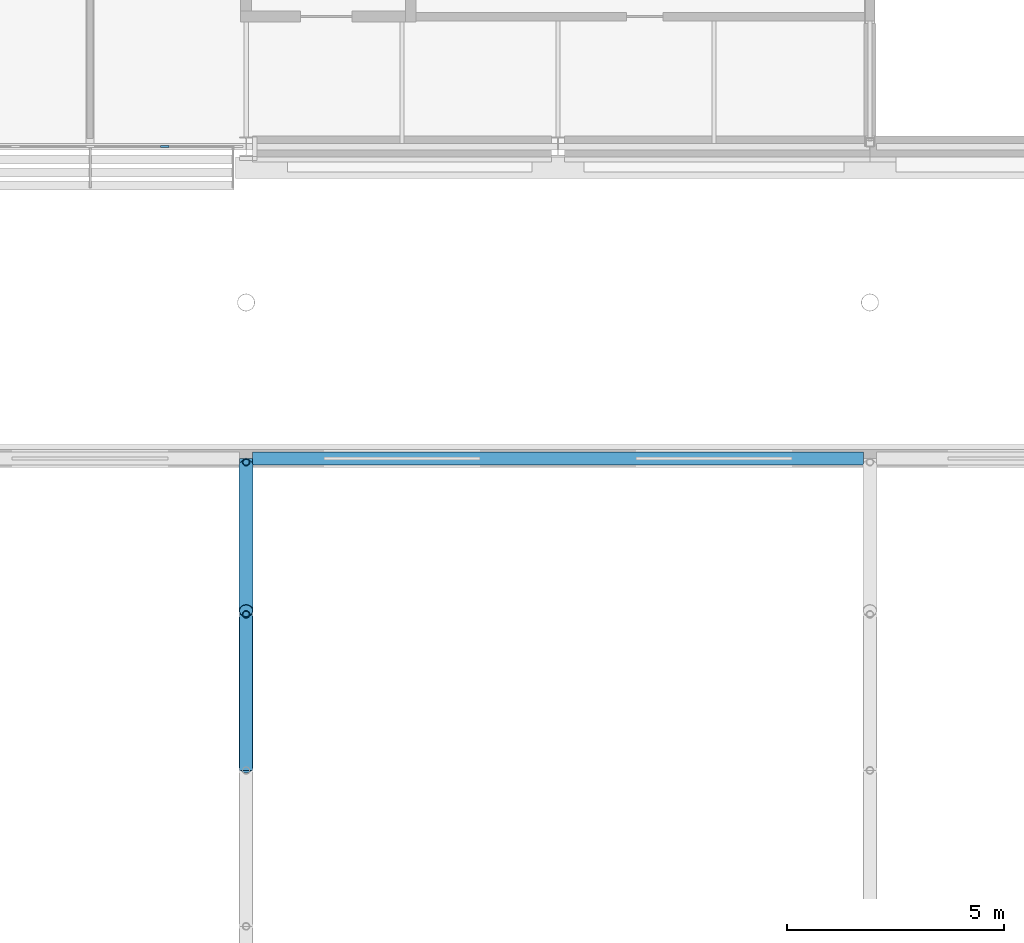
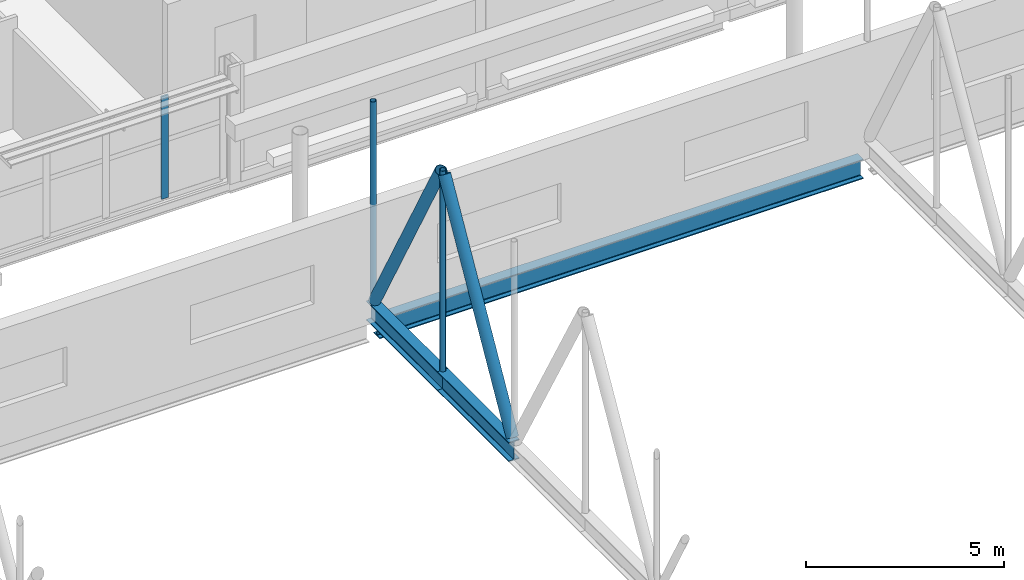
# One storey, part 67 of 142: 7 members, 1 beam, 1 element without a shape of its own.
"""IFC4 building model written with IfcOpenShell, lengths in metres."""

import ifcopenshell
import ifcopenshell.guid

model = None  # the IFC model being written
_history = None  # IfcOwnerHistory: only IFC2X3 demands one
_inside = {}  # id of a spatial element -> (the spatial element, [elements in it])
_under = {}  # id of a project, library or spatial element -> (it, [spatial elements below it])
_declared = {}  # id of a project -> (the project, [libraries it declares])
_typed = {}  # id of a type object -> (the type object, [elements of that type])
_made_of = {}  # id of a material, layer set ... -> (it, [elements and type objects made of it])


def new_model(schema):
    """Start an empty IFC model of exactly this schema.

    Asked for "IFC4X3", IfcOpenShell would pick the latest addendum, in which some entities
    have other attributes; the version numbers below select the first issue.
    IFC2X3 requires an IfcOwnerHistory on every rooted entity: one is made here for all.
    """
    global model, _history
    if schema == "IFC4X3":
        model = ifcopenshell.file(schema_version=(4, 3, 0, 0))
    else:
        model = ifcopenshell.file(schema=schema)
    _inside.clear()
    _under.clear()
    _declared.clear()
    _typed.clear()
    _made_of.clear()
    _history = None
    if model.schema == "IFC2X3":
        org = make("IfcOrganization", Name="unknown")
        user = make(
            "IfcPersonAndOrganization",
            ThePerson=make("IfcPerson", FamilyName="unknown"),
            TheOrganization=org,
        )
        app = make(
            "IfcApplication",
            ApplicationDeveloper=org,
            Version="unknown",
            ApplicationFullName="unknown",
            ApplicationIdentifier="unknown",
        )
        _history = make(
            "IfcOwnerHistory",
            OwningUser=user,
            OwningApplication=app,
            ChangeAction="ADDED",
            CreationDate=0,
        )
    return model


def make(cls, **values):
    """One entity of the class cls with the attributes given. An attribute that is None is left unset."""
    return model.create_entity(
        cls, **{name: value for name, value in values.items() if value is not None}
    )


def rooted(cls, **values):
    """An entity with a GlobalId (a new one), such as an element, a storey or a relation."""
    return make(cls, GlobalId=ifcopenshell.guid.new(), OwnerHistory=_history, **values)


def si_unit(unit_type, name, prefix=None):
    """IfcSIUnit, for example si_unit("LENGTHUNIT", "METRE", prefix="MILLI")."""
    return make("IfcSIUnit", UnitType=unit_type, Prefix=prefix, Name=name)


def assignment(units):
    """IfcUnitAssignment: the units of a project."""
    return None if units is None else make("IfcUnitAssignment", Units=units)


def point(xyz):
    """IfcCartesianPoint."""
    return None if xyz is None else make("IfcCartesianPoint", Coordinates=xyz)


def direction(xyz):
    """IfcDirection."""
    return None if xyz is None else make("IfcDirection", DirectionRatios=xyz)


def frame(location, z_axis=None, x_axis=None):
    """IfcAxis2Placement3D, a coordinate frame: its origin and axes. An axis left out is left unset."""
    return make(
        "IfcAxis2Placement3D",
        Location=point(location),
        Axis=direction(z_axis),
        RefDirection=direction(x_axis),
    )


def frame_2d(location, x_axis=None):
    """IfcAxis2Placement2D, a coordinate frame in the plane: its origin and x axis."""
    return make(
        "IfcAxis2Placement2D", Location=point(location), RefDirection=direction(x_axis)
    )


def origin():
    """The frame at (0, 0, 0) with its axes left unset."""
    return frame((0.0, 0.0, 0.0))


def origin_2d():
    """The frame at (0, 0) in the plane with its x axis left unset."""
    return frame_2d((0.0, 0.0))


def place(relative_to, where):
    """IfcLocalPlacement: puts the frame where relative to a parent placement (None: the world)."""
    return make(
        "IfcLocalPlacement", PlacementRelTo=relative_to, RelativePlacement=where
    )


def context(
    kind, dimensions, precision=None, world=None, true_north=None, identifier=None
):
    """IfcGeometricRepresentationContext, for example the 3D "Model" context."""
    return make(
        "IfcGeometricRepresentationContext",
        ContextIdentifier=identifier,
        ContextType=kind,
        CoordinateSpaceDimension=dimensions,
        Precision=precision,
        WorldCoordinateSystem=world,
        TrueNorth=true_north,
    )


def subcontext(parent, identifier, kind, view, scale=None):
    """IfcGeometricRepresentationSubContext, for example "Body" below "Model"."""
    return make(
        "IfcGeometricRepresentationSubContext",
        ContextIdentifier=identifier,
        ContextType=kind,
        ParentContext=parent,
        TargetScale=scale,
        TargetView=view,
    )


def project(units=None, contexts=None):
    """IfcProject with its units and contexts."""
    return rooted(
        "IfcProject",
        Name="project",
        RepresentationContexts=contexts,
        UnitsInContext=assignment(units),
    )


def spatial(cls, under=None, at=None, **own):
    """A site, building, storey or space (cls), placed at a placement, below another one or the project."""
    s = rooted(cls, ObjectPlacement=at, **own)
    if under is not None:
        _under.setdefault(under.id(), (under, []))[1].append(s)
    return s


def profile(cls, at=None, kind="AREA", **sizes):
    """A parametric profile (cls). Its sizes go by their IFC names, for example OverallWidth=200.0."""
    return make(cls, ProfileType=kind, Position=at, **sizes)


def rectangle(**sizes):
    """IfcRectangleProfileDef."""
    return profile("IfcRectangleProfileDef", **sizes)


def hollow_circle(**sizes):
    """IfcCircleHollowProfileDef."""
    return profile("IfcCircleHollowProfileDef", **sizes)


def i_section(**sizes):
    """IfcIShapeProfileDef."""
    return profile("IfcIShapeProfileDef", **sizes)


def extrude(swept, where, along, depth):
    """IfcExtrudedAreaSolid: the profile swept, set in the frame where, extruded along a direction by depth."""
    return make(
        "IfcExtrudedAreaSolid",
        SweptArea=swept,
        Position=where,
        ExtrudedDirection=direction(along),
        Depth=depth,
    )


def shape(context_of_items, identifier, shape_type, items):
    """IfcShapeRepresentation: the items that make up one representation, for example the "Body"."""
    return make(
        "IfcShapeRepresentation",
        ContextOfItems=context_of_items,
        RepresentationIdentifier=identifier,
        RepresentationType=shape_type,
        Items=items,
    )


def material(Name=None, Category=None):
    """IfcMaterial."""
    return make("IfcMaterial", Name=Name, Category=Category)


def material_profile(
    of_material, cross_section, Name=None, Category=None, Priority=None
):
    """IfcMaterialProfile: a cross section and its material."""
    return make(
        "IfcMaterialProfile",
        Name=Name,
        Material=of_material,
        Profile=cross_section,
        Priority=Priority,
        Category=Category,
    )


def profile_set(profiles, Name=None, composite=None):
    """IfcMaterialProfileSet."""
    return make(
        "IfcMaterialProfileSet",
        Name=Name,
        MaterialProfiles=profiles,
        CompositeProfile=composite,
    )


def made_of(thing, what):
    """Note that an element or type object is made of a material, layer set ...; save() writes the relation."""
    if what is not None:
        _made_of.setdefault(what.id(), (what, []))[1].append(thing)
    return thing


def type_object(cls, material=None, **own):
    """A type object (cls), such as IfcWallType, which elements share."""
    return made_of(rooted(cls, **own), material)


def element(
    cls,
    number,
    at=None,
    inside=None,
    cuts=None,
    type_object=None,
    material=None,
    context=None,
    identifier="Body",
    shape_type=None,
    held_by="IfcProductDefinitionShape",
    body=None,
    shapes=None,
    **own,
):
    """One element of the class cls, such as IfcWall. Its Tag is "e" and its number.

    at: its placement. inside: the storey or other place that contains it. cuts: it is an
    opening in that element (IfcRelVoidsElement). A single representation is given by context,
    identifier, shape_type and body (its items); several are given by shapes. held_by: the class
    of the entity that holds the representations. save() writes the other relations.
    """
    e = rooted(cls, Tag="e%d" % number, ObjectPlacement=at, **own)
    if body is not None:
        shapes = [shape(context, identifier, shape_type, body)]
    if shapes is not None:
        e.Representation = make(held_by, Representations=shapes)
    if inside is not None:
        _inside.setdefault(inside.id(), (inside, []))[1].append(e)
    if cuts is not None:
        rooted(
            "IfcRelVoidsElement", RelatingBuildingElement=cuts, RelatedOpeningElement=e
        )
    if type_object is not None:
        _typed.setdefault(type_object.id(), (type_object, []))[1].append(e)
    return made_of(e, material)


def aggregate(whole, parts):
    """IfcRelAggregates: a whole, such as a stair, and the parts it consists of."""
    return rooted("IfcRelAggregates", RelatingObject=whole, RelatedObjects=parts)


def save(model, path):
    """Write the relations noted so far, then the file.

    IfcRelAggregates (storeys below a building ...), IfcRelContainedInSpatialStructure (elements
    in a storey), IfcRelDefinesByType, IfcRelAssociatesMaterial and IfcRelDeclares: one each for
    every whole, place, type object, material and project.
    """
    for whole, parts in _under.values():
        aggregate(whole, parts)
    for where, things in _inside.values():
        rooted(
            "IfcRelContainedInSpatialStructure",
            RelatedElements=things,
            RelatingStructure=where,
        )
    for kind, things in _typed.values():
        rooted("IfcRelDefinesByType", RelatedObjects=things, RelatingType=kind)
    for what, things in _made_of.values():
        rooted("IfcRelAssociatesMaterial", RelatedObjects=things, RelatingMaterial=what)
    for by, libraries in _declared.values():
        rooted("IfcRelDeclares", RelatingContext=by, RelatedDefinitions=libraries)
    model.write(path)


model = new_model("IFC4")

# Units and contexts
model_context = context("Model", 3, precision=1e-05, world=origin(), true_north=direction((0.0, 1.0)))
body_context = subcontext(model_context, "Body", "Model", "MODEL_VIEW")
ifc_project = project(units=[si_unit("LENGTHUNIT", "METRE"), si_unit("AREAUNIT", "SQUARE_METRE"), si_unit("VOLUMEUNIT", "CUBIC_METRE"), si_unit("PLANEANGLEUNIT", "RADIAN"), si_unit("MASSUNIT", "GRAM", prefix="KILO")], contexts=[model_context])

# Site, building, storey
site_placement = place(None, origin())
site = spatial("IfcSite", under=ifc_project, at=site_placement, CompositionType="ELEMENT")
building_placement = place(site_placement, origin())
building = spatial("IfcBuilding", under=site, at=building_placement, Name="Kupolbacken Congress Centre", CompositionType="ELEMENT")
storey_placement = place(building_placement, frame((0.0, 0.0, 14.39990234375)))
storey = spatial("IfcBuildingStorey", under=building, at=storey_placement, Name="L04", CompositionType="ELEMENT", Elevation=14.39990234375)

# Beam
ifc_material_1 = material(Name="Steel S355", Category="steel")
ifc_material_profile_1 = material_profile(ifc_material_1, i_section(OverallWidth=0.300048828125, OverallDepth=0.60009765625, WebThickness=0.015380859375, FlangeThickness=0.030029296875, FilletRadius=0.027099609375, at=origin_2d()), Name="HEB 600")
ifc_profile_set_1 = profile_set([ifc_material_profile_1], Name="Steel S355")
beam_type = type_object("IfcBeamType", Name="B15 beam HEB 600", PredefinedType="BEAM", material=ifc_profile_set_1)
beam_placement = place(storey_placement, frame((136.949951171875, 115.199951171875, -0.2998046875), z_axis=(1.0, 0.0, 0.0), x_axis=(0.0, 1.0, 0.0)))
element("IfcBeam", 1, at=beam_placement, inside=storey, type_object=beam_type, Name="Edge girder", PredefinedType="BEAM", context=body_context, shape_type="SweptSolid", body=[
    extrude(i_section(OverallWidth=0.300048828125, OverallDepth=0.60009765625, WebThickness=0.015380859375, FlangeThickness=0.030029296875, FilletRadius=0.027099609375, at=origin_2d()), origin(), (0.0, 0.0, 1.0), 14.10009765625),
])

# Members
ifc_material_2 = material(Name="Steel S355", Category="steel")
ifc_material_profile_2 = material_profile(ifc_material_2, i_section(OverallWidth=0.300048828125, OverallDepth=0.60009765625, WebThickness=0.015380859375, FlangeThickness=0.030029296875, FilletRadius=0.027099609375, at=origin_2d()), Name="HEB 600")
ifc_profile_set_2 = profile_set([ifc_material_profile_2], Name="Steel S355")
member_type_1 = type_object("IfcMemberType", Name="M02 transfer truss chord HEB 600", PredefinedType="CHORD", material=ifc_profile_set_2)
member_1_placement = place(storey_placement, frame((136.800048828125, 108.0, 0.2900390625), z_axis=(0.0, 1.0, 0.0), x_axis=(-1.0, 0.0, 0.0)))
element("IfcMember", 2, at=member_1_placement, inside=storey, type_object=member_type_1, Name="HT/T4/BC19", PredefinedType="CHORD", context=body_context, shape_type="SweptSolid", body=[
    extrude(i_section(OverallWidth=0.300048828125, OverallDepth=0.60009765625, WebThickness=0.015380859375, FlangeThickness=0.030029296875, FilletRadius=0.027099609375, at=origin_2d()), origin(), (0.0, 0.0, 1.0), 3.60009765625),
])
member_2_placement = place(storey_placement, frame((136.800048828125, 111.60009765625, 0.2900390625), z_axis=(0.0, 1.0, 0.0), x_axis=(-1.0, 0.0, 0.0)))
element("IfcMember", 3, at=member_2_placement, inside=storey, type_object=member_type_1, Name="HT/T4/BC20", PredefinedType="CHORD", context=body_context, shape_type="SweptSolid", body=[
    extrude(i_section(OverallWidth=0.300048828125, OverallDepth=0.60009765625, WebThickness=0.015380859375, FlangeThickness=0.030029296875, FilletRadius=0.027099609375, at=origin_2d()), origin(), (0.0, 0.0, 1.0), 3.599853515625),
])
ifc_material_3 = material(Name="Steel S355", Category="steel")
ifc_material_profile_3 = material_profile(ifc_material_3, hollow_circle(Radius=0.161865234375, WallThickness=0.012451171875, at=origin_2d()), Name="CHS 323.9 x 12.5")
ifc_profile_set_3 = profile_set([ifc_material_profile_3], Name="Steel S355")
member_type_2 = type_object("IfcMemberType", Name="M04 transfer truss web CHS 323.9 x 12.5", PredefinedType="BRACE", material=ifc_profile_set_3)
member_3_placement = place(storey_placement, frame((136.800048828125, 108.084228515625, 0.658935546875), z_axis=(0.0, 0.494455978115, 0.869202672399), x_axis=(-1.0, 0.0, 0.0)))
element("IfcMember", 4, at=member_3_placement, inside=storey, type_object=member_type_2, Name="HT/T4/D19", PredefinedType="BRACE", context=body_context, shape_type="SweptSolid", body=[
    extrude(hollow_circle(Radius=0.161865234375, WallThickness=0.012451171875, at=origin_2d()), origin(), (0.0, 0.0, 1.0), 6.940185546875),
])
member_4_placement = place(storey_placement, frame((136.800048828125, 111.68408203125, 6.69287109375), z_axis=(0.0, 0.485036131954, -0.874494111301), x_axis=(-1.0, 0.0, 0.0)))
element("IfcMember", 5, at=member_4_placement, inside=storey, type_object=member_type_2, Name="HT/T4/D20", PredefinedType="BRACE", context=body_context, shape_type="SweptSolid", body=[
    extrude(hollow_circle(Radius=0.161865234375, WallThickness=0.012451171875, at=origin_2d()), origin(), (0.0, 0.0, 1.0), 6.90185546875),
])
ifc_material_4 = material(Name="Steel S355", Category="steel")
ifc_material_profile_4 = material_profile(ifc_material_4, hollow_circle(Radius=0.084228515625, WallThickness=0.008056640625, at=origin_2d()), Name="CHS 168.3 x 8")
ifc_profile_set_4 = profile_set([ifc_material_profile_4], Name="Steel S355")
member_type_3 = type_object("IfcMemberType", Name="M20 transfer truss post CHS 168.3 x 8", PredefinedType="STRUT", material=ifc_profile_set_4)
for number, where, z_axis, x_axis, name in (
    (6, (136.800048828125, 111.60009765625, 0.580078125), (0.0, 0.0, 1.0), (0.0, 1.0, 0.0), "HT/T4/P19"),
    (7, (136.800048828125, 115.115966796875, 0.580078125), (0.0, 0.0, 1.0), (0.0, 1.0, 0.0), "HT/T4/P20"),
):
    element("IfcMember", number, at=place(storey_placement, frame(where, z_axis=z_axis, x_axis=x_axis)), inside=storey, type_object=member_type_3, Name=name, PredefinedType="STRUT", context=body_context, shape_type="SweptSolid", body=[
        extrude(hollow_circle(Radius=0.084228515625, WallThickness=0.008056640625, at=origin_2d()), origin(), (0.0, 0.0, 1.0), 6.18994140625),
    ])

# Curtain wall, member
ifc_material_5 = material(Name="Aluminium mullion-transom frame with glass", Category="aluminium")
curtain_wall_type = type_object("IfcCurtainWallType", Name="CW1 curtain wall 7200x3600", PredefinedType="NOTDEFINED", material=ifc_material_5)
curtain_wall_placement = place(storey_placement, origin())
curtain_wall = element("IfcCurtainWall", 8, at=curtain_wall_placement, inside=storey, type_object=curtain_wall_type, Name="E/T/S/L04/057/g0", PredefinedType="NOTDEFINED")
ifc_material_6 = material(Name="Aluminium alloy", Category="aluminium")
ifc_material_profile_5 = material_profile(ifc_material_6, rectangle(XDim=0.050048828125, YDim=0.199951171875, at=origin_2d()), Name="50 x 200")
ifc_profile_set_5 = profile_set([ifc_material_profile_5], Name="Aluminium alloy")
member_type_4 = type_object("IfcMemberType", Name="MU2 mullion 50x200", PredefinedType="MULLION", material=ifc_profile_set_5)
member_5_placement = place(storey_placement, frame((134.92578125, 122.39990234375, 0.0), z_axis=(0.0, 0.0, 1.0), x_axis=(0.0, 1.0, 0.0)))
member_5 = element("IfcMember", 9, at=member_5_placement, type_object=member_type_4, Name="CW1 mullion 4", PredefinedType="MULLION", context=body_context, shape_type="SweptSolid", body=[
    extrude(rectangle(XDim=0.050048828125, YDim=0.199951171875, at=origin_2d()), origin(), (0.0, 0.0, 1.0), 3.16015625),
])
aggregate(curtain_wall, [member_5])

save(model, "model.ifc")
